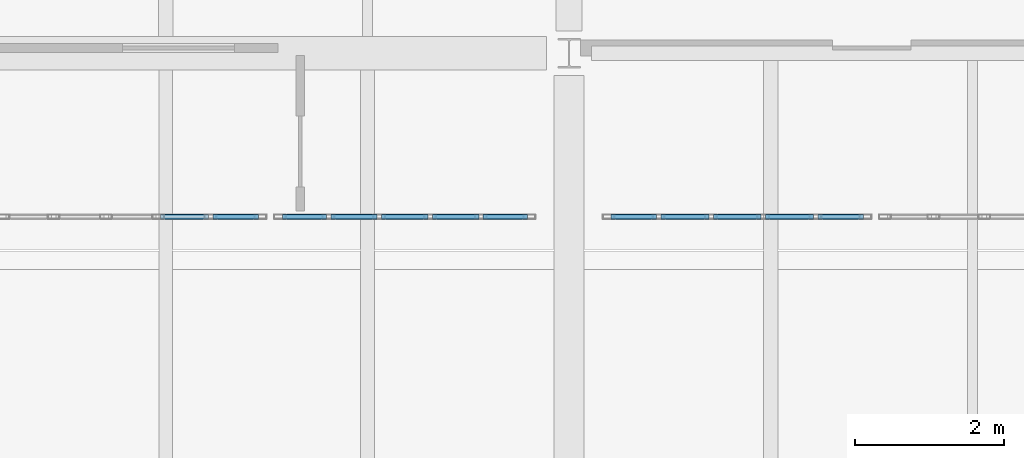
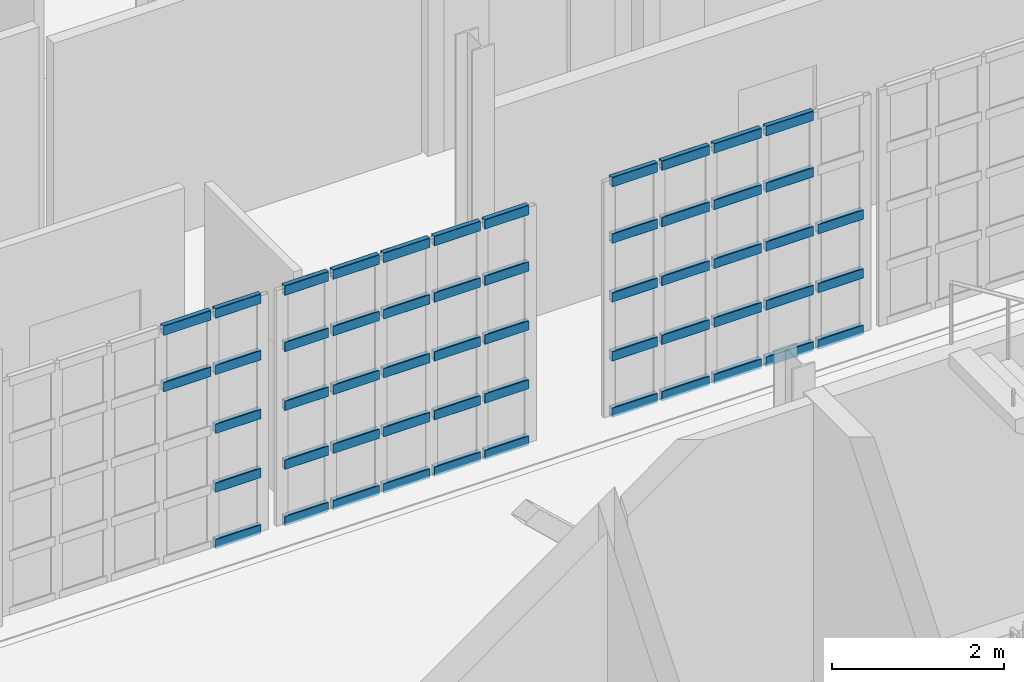
# One storey, part 12 of 25: 55 members, 3 elements without a shape of their own.
"""IFC4 building model written with IfcOpenShell, lengths in metres."""

from ifc_helpers import new_model, si_unit, direction, frame, origin, origin_2d, place, context, subcontext, project, spatial, hollow_rectangle, extrude, material, material_profile, profile_set, type_object, element, aggregate, save


model = new_model("IFC4")

# Units and contexts
model_context = context("Model", 3, precision=1e-05, world=origin(), true_north=direction((0.0, 1.0)))
body_context = subcontext(model_context, "Body", "Model", "MODEL_VIEW")
ifc_project = project(units=[si_unit("LENGTHUNIT", "METRE"), si_unit("AREAUNIT", "SQUARE_METRE"), si_unit("VOLUMEUNIT", "CUBIC_METRE"), si_unit("PLANEANGLEUNIT", "RADIAN"), si_unit("MASSUNIT", "GRAM", prefix="KILO")], contexts=[model_context])

# Site, building, storey
site_placement = place(None, origin())
site = spatial("IfcSite", under=ifc_project, at=site_placement, CompositionType="ELEMENT")
building_placement = place(site_placement, origin())
building = spatial("IfcBuilding", under=site, at=building_placement, Name="Kaelora Sail Theatre", CompositionType="ELEMENT")
storey_placement = place(building_placement, frame((0.0, 0.0, 19.199951171875)))
storey = spatial("IfcBuildingStorey", under=building, at=storey_placement, Name="L04", CompositionType="ELEMENT", Elevation=19.199951171875)

# Curtain wall, members
ifc_material_1 = material(Name="Anodised aluminium and solar-control low-E IGU", Category="aluminium")
curtain_wall_type = type_object("IfcCurtainWallType", Name="ARC-CW-CW-CLR", PredefinedType="NOTDEFINED", material=ifc_material_1)
curtain_wall_1_placement = place(storey_placement, origin())
curtain_wall_1 = element("IfcCurtainWall", 1, at=curtain_wall_1_placement, inside=storey, type_object=curtain_wall_type, Name="Glazed Foyer/Conservatory Curtain Wall NW2-S-L04-02", PredefinedType="NOTDEFINED")
ifc_material_2 = material(Name="Anodised aluminium 6063-T6", Category="aluminium")
ifc_material_profile = material_profile(ifc_material_2, hollow_rectangle(XDim=0.070068359375, YDim=0.139892578125, WallThickness=0.00390625, InnerFilletRadius=0.00390625, OuterFilletRadius=0.008056640625, at=origin_2d()), Name="ALU-TRAN 70x140x4")
ifc_profile_set = profile_set([ifc_material_profile], Name="Anodised aluminium 6063-T6")
member_type = type_object("IfcMemberType", Name="ARC-MEM-TR-140", PredefinedType="USERDEFINED", material=ifc_profile_set)
member_1_placement = place(storey_placement, frame((44.6298828125, 88.590087890625, 2.51025390625), z_axis=(1.0, 0.0, 0.0), x_axis=(0.0, 1.0, 0.0)))
member_1 = element("IfcMember", 2, at=member_1_placement, type_object=member_type, Name="CW-CLR transom 4.4", ObjectType="TRANSOM", PredefinedType="USERDEFINED", context=body_context, shape_type="SweptSolid", body=[
    extrude(hollow_rectangle(XDim=0.070068359375, YDim=0.139892578125, WallThickness=0.00390625, InnerFilletRadius=0.00390625, OuterFilletRadius=0.008056640625, at=origin_2d()), origin(), (0.0, 0.0, 1.0), 0.64013671875),
])
member_2_placement = place(storey_placement, frame((44.6298828125, 88.590087890625, 3.31201171875), z_axis=(1.0, 0.0, 0.0), x_axis=(0.0, 1.0, 0.0)))
member_2 = element("IfcMember", 3, at=member_2_placement, type_object=member_type, Name="CW-CLR transom 4.5", ObjectType="TRANSOM", PredefinedType="USERDEFINED", context=body_context, shape_type="SweptSolid", body=[
    extrude(hollow_rectangle(XDim=0.070068359375, YDim=0.139892578125, WallThickness=0.00390625, InnerFilletRadius=0.00390625, OuterFilletRadius=0.008056640625, at=origin_2d()), origin(), (0.0, 0.0, 1.0), 0.64013671875),
])
member_3_placement = place(storey_placement, frame((45.330078125, 88.590087890625, 0.03515625), z_axis=(1.0, 0.0, 0.0), x_axis=(0.0, 1.0, 0.0)))
member_3 = element("IfcMember", 4, at=member_3_placement, type_object=member_type, Name="CW-CLR transom 5.1", ObjectType="TRANSOM", PredefinedType="USERDEFINED", context=body_context, shape_type="SweptSolid", body=[
    extrude(hollow_rectangle(XDim=0.070068359375, YDim=0.139892578125, WallThickness=0.00390625, InnerFilletRadius=0.00390625, OuterFilletRadius=0.008056640625, at=origin_2d()), origin(), (0.0, 0.0, 1.0), 0.60986328125),
])
member_4_placement = place(storey_placement, frame((45.330078125, 88.590087890625, 0.836669921875), z_axis=(1.0, 0.0, 0.0), x_axis=(0.0, 1.0, 0.0)))
member_4 = element("IfcMember", 5, at=member_4_placement, type_object=member_type, Name="CW-CLR transom 5.2", ObjectType="TRANSOM", PredefinedType="USERDEFINED", context=body_context, shape_type="SweptSolid", body=[
    extrude(hollow_rectangle(XDim=0.070068359375, YDim=0.139892578125, WallThickness=0.00390625, InnerFilletRadius=0.00390625, OuterFilletRadius=0.008056640625, at=origin_2d()), origin(), (0.0, 0.0, 1.0), 0.60986328125),
])
member_5_placement = place(storey_placement, frame((45.330078125, 88.590087890625, 1.673583984375), z_axis=(1.0, 0.0, 0.0), x_axis=(0.0, 1.0, 0.0)))
member_5 = element("IfcMember", 6, at=member_5_placement, type_object=member_type, Name="CW-CLR transom 5.3", ObjectType="TRANSOM", PredefinedType="USERDEFINED", context=body_context, shape_type="SweptSolid", body=[
    extrude(hollow_rectangle(XDim=0.070068359375, YDim=0.139892578125, WallThickness=0.00390625, InnerFilletRadius=0.00390625, OuterFilletRadius=0.008056640625, at=origin_2d()), origin(), (0.0, 0.0, 1.0), 0.60986328125),
])
member_6_placement = place(storey_placement, frame((45.330078125, 88.590087890625, 2.51025390625), z_axis=(1.0, 0.0, 0.0), x_axis=(0.0, 1.0, 0.0)))
member_6 = element("IfcMember", 7, at=member_6_placement, type_object=member_type, Name="CW-CLR transom 5.4", ObjectType="TRANSOM", PredefinedType="USERDEFINED", context=body_context, shape_type="SweptSolid", body=[
    extrude(hollow_rectangle(XDim=0.070068359375, YDim=0.139892578125, WallThickness=0.00390625, InnerFilletRadius=0.00390625, OuterFilletRadius=0.008056640625, at=origin_2d()), origin(), (0.0, 0.0, 1.0), 0.60986328125),
])
member_7_placement = place(storey_placement, frame((45.330078125, 88.590087890625, 3.31201171875), z_axis=(1.0, 0.0, 0.0), x_axis=(0.0, 1.0, 0.0)))
member_7 = element("IfcMember", 8, at=member_7_placement, type_object=member_type, Name="CW-CLR transom 5.5", ObjectType="TRANSOM", PredefinedType="USERDEFINED", context=body_context, shape_type="SweptSolid", body=[
    extrude(hollow_rectangle(XDim=0.070068359375, YDim=0.139892578125, WallThickness=0.00390625, InnerFilletRadius=0.00390625, OuterFilletRadius=0.008056640625, at=origin_2d()), origin(), (0.0, 0.0, 1.0), 0.60986328125),
])
aggregate(curtain_wall_1, [member_1, member_2, member_3, member_4, member_5, member_6, member_7])

curtain_wall_2_placement = place(storey_placement, origin())
curtain_wall_2 = element("IfcCurtainWall", 9, at=curtain_wall_2_placement, inside=storey, type_object=curtain_wall_type, Name="Glazed Foyer/Conservatory Curtain Wall NW2-S-L04-03", PredefinedType="NOTDEFINED")
member_8_placement = place(storey_placement, frame((46.260009765625, 88.590087890625, 0.03515625), z_axis=(1.0, 0.0, 0.0), x_axis=(0.0, 1.0, 0.0)))
member_8 = element("IfcMember", 10, at=member_8_placement, type_object=member_type, Name="CW-CLR transom 1.1", ObjectType="TRANSOM", PredefinedType="USERDEFINED", context=body_context, shape_type="SweptSolid", body=[
    extrude(hollow_rectangle(XDim=0.070068359375, YDim=0.139892578125, WallThickness=0.00390625, InnerFilletRadius=0.00390625, OuterFilletRadius=0.008056640625, at=origin_2d()), origin(), (0.0, 0.0, 1.0), 0.590087890625),
])
member_9_placement = place(storey_placement, frame((46.260009765625, 88.590087890625, 0.836669921875), z_axis=(1.0, 0.0, 0.0), x_axis=(0.0, 1.0, 0.0)))
member_9 = element("IfcMember", 11, at=member_9_placement, type_object=member_type, Name="CW-CLR transom 1.2", ObjectType="TRANSOM", PredefinedType="USERDEFINED", context=body_context, shape_type="SweptSolid", body=[
    extrude(hollow_rectangle(XDim=0.070068359375, YDim=0.139892578125, WallThickness=0.00390625, InnerFilletRadius=0.00390625, OuterFilletRadius=0.008056640625, at=origin_2d()), origin(), (0.0, 0.0, 1.0), 0.590087890625),
])
member_10_placement = place(storey_placement, frame((46.260009765625, 88.590087890625, 1.673583984375), z_axis=(1.0, 0.0, 0.0), x_axis=(0.0, 1.0, 0.0)))
member_10 = element("IfcMember", 12, at=member_10_placement, type_object=member_type, Name="CW-CLR transom 1.3", ObjectType="TRANSOM", PredefinedType="USERDEFINED", context=body_context, shape_type="SweptSolid", body=[
    extrude(hollow_rectangle(XDim=0.070068359375, YDim=0.139892578125, WallThickness=0.00390625, InnerFilletRadius=0.00390625, OuterFilletRadius=0.008056640625, at=origin_2d()), origin(), (0.0, 0.0, 1.0), 0.590087890625),
])
member_11_placement = place(storey_placement, frame((46.260009765625, 88.590087890625, 2.51025390625), z_axis=(1.0, 0.0, 0.0), x_axis=(0.0, 1.0, 0.0)))
member_11 = element("IfcMember", 13, at=member_11_placement, type_object=member_type, Name="CW-CLR transom 1.4", ObjectType="TRANSOM", PredefinedType="USERDEFINED", context=body_context, shape_type="SweptSolid", body=[
    extrude(hollow_rectangle(XDim=0.070068359375, YDim=0.139892578125, WallThickness=0.00390625, InnerFilletRadius=0.00390625, OuterFilletRadius=0.008056640625, at=origin_2d()), origin(), (0.0, 0.0, 1.0), 0.590087890625),
])
member_12_placement = place(storey_placement, frame((46.260009765625, 88.590087890625, 3.31201171875), z_axis=(1.0, 0.0, 0.0), x_axis=(0.0, 1.0, 0.0)))
member_12 = element("IfcMember", 14, at=member_12_placement, type_object=member_type, Name="CW-CLR transom 1.5", ObjectType="TRANSOM", PredefinedType="USERDEFINED", context=body_context, shape_type="SweptSolid", body=[
    extrude(hollow_rectangle(XDim=0.070068359375, YDim=0.139892578125, WallThickness=0.00390625, InnerFilletRadius=0.00390625, OuterFilletRadius=0.008056640625, at=origin_2d()), origin(), (0.0, 0.0, 1.0), 0.590087890625),
])
member_13_placement = place(storey_placement, frame((46.909912109375, 88.590087890625, 0.03515625), z_axis=(1.0, 0.0, 0.0), x_axis=(0.0, 1.0, 0.0)))
member_13 = element("IfcMember", 15, at=member_13_placement, type_object=member_type, Name="CW-CLR transom 2.1", ObjectType="TRANSOM", PredefinedType="USERDEFINED", context=body_context, shape_type="SweptSolid", body=[
    extrude(hollow_rectangle(XDim=0.070068359375, YDim=0.139892578125, WallThickness=0.00390625, InnerFilletRadius=0.00390625, OuterFilletRadius=0.008056640625, at=origin_2d()), origin(), (0.0, 0.0, 1.0), 0.6201171875),
])
member_14_placement = place(storey_placement, frame((46.909912109375, 88.590087890625, 0.836669921875), z_axis=(1.0, 0.0, 0.0), x_axis=(0.0, 1.0, 0.0)))
member_14 = element("IfcMember", 16, at=member_14_placement, type_object=member_type, Name="CW-CLR transom 2.2", ObjectType="TRANSOM", PredefinedType="USERDEFINED", context=body_context, shape_type="SweptSolid", body=[
    extrude(hollow_rectangle(XDim=0.070068359375, YDim=0.139892578125, WallThickness=0.00390625, InnerFilletRadius=0.00390625, OuterFilletRadius=0.008056640625, at=origin_2d()), origin(), (0.0, 0.0, 1.0), 0.6201171875),
])
member_15_placement = place(storey_placement, frame((46.909912109375, 88.590087890625, 1.673583984375), z_axis=(1.0, 0.0, 0.0), x_axis=(0.0, 1.0, 0.0)))
member_15 = element("IfcMember", 17, at=member_15_placement, type_object=member_type, Name="CW-CLR transom 2.3", ObjectType="TRANSOM", PredefinedType="USERDEFINED", context=body_context, shape_type="SweptSolid", body=[
    extrude(hollow_rectangle(XDim=0.070068359375, YDim=0.139892578125, WallThickness=0.00390625, InnerFilletRadius=0.00390625, OuterFilletRadius=0.008056640625, at=origin_2d()), origin(), (0.0, 0.0, 1.0), 0.6201171875),
])
member_16_placement = place(storey_placement, frame((46.909912109375, 88.590087890625, 2.51025390625), z_axis=(1.0, 0.0, 0.0), x_axis=(0.0, 1.0, 0.0)))
member_16 = element("IfcMember", 18, at=member_16_placement, type_object=member_type, Name="CW-CLR transom 2.4", ObjectType="TRANSOM", PredefinedType="USERDEFINED", context=body_context, shape_type="SweptSolid", body=[
    extrude(hollow_rectangle(XDim=0.070068359375, YDim=0.139892578125, WallThickness=0.00390625, InnerFilletRadius=0.00390625, OuterFilletRadius=0.008056640625, at=origin_2d()), origin(), (0.0, 0.0, 1.0), 0.6201171875),
])
member_17_placement = place(storey_placement, frame((46.909912109375, 88.590087890625, 3.31201171875), z_axis=(1.0, 0.0, 0.0), x_axis=(0.0, 1.0, 0.0)))
member_17 = element("IfcMember", 19, at=member_17_placement, type_object=member_type, Name="CW-CLR transom 2.5", ObjectType="TRANSOM", PredefinedType="USERDEFINED", context=body_context, shape_type="SweptSolid", body=[
    extrude(hollow_rectangle(XDim=0.070068359375, YDim=0.139892578125, WallThickness=0.00390625, InnerFilletRadius=0.00390625, OuterFilletRadius=0.008056640625, at=origin_2d()), origin(), (0.0, 0.0, 1.0), 0.6201171875),
])
member_18_placement = place(storey_placement, frame((47.590087890625, 88.590087890625, 0.03515625), z_axis=(1.0, 0.0, 0.0), x_axis=(0.0, 1.0, 0.0)))
member_18 = element("IfcMember", 20, at=member_18_placement, type_object=member_type, Name="CW-CLR transom 3.1", ObjectType="TRANSOM", PredefinedType="USERDEFINED", context=body_context, shape_type="SweptSolid", body=[
    extrude(hollow_rectangle(XDim=0.070068359375, YDim=0.139892578125, WallThickness=0.00390625, InnerFilletRadius=0.00390625, OuterFilletRadius=0.008056640625, at=origin_2d()), origin(), (0.0, 0.0, 1.0), 0.619873046875),
])
member_19_placement = place(storey_placement, frame((47.590087890625, 88.590087890625, 0.836669921875), z_axis=(1.0, 0.0, 0.0), x_axis=(0.0, 1.0, 0.0)))
member_19 = element("IfcMember", 21, at=member_19_placement, type_object=member_type, Name="CW-CLR transom 3.2", ObjectType="TRANSOM", PredefinedType="USERDEFINED", context=body_context, shape_type="SweptSolid", body=[
    extrude(hollow_rectangle(XDim=0.070068359375, YDim=0.139892578125, WallThickness=0.00390625, InnerFilletRadius=0.00390625, OuterFilletRadius=0.008056640625, at=origin_2d()), origin(), (0.0, 0.0, 1.0), 0.619873046875),
])
member_20_placement = place(storey_placement, frame((47.590087890625, 88.590087890625, 1.673583984375), z_axis=(1.0, 0.0, 0.0), x_axis=(0.0, 1.0, 0.0)))
member_20 = element("IfcMember", 22, at=member_20_placement, type_object=member_type, Name="CW-CLR transom 3.3", ObjectType="TRANSOM", PredefinedType="USERDEFINED", context=body_context, shape_type="SweptSolid", body=[
    extrude(hollow_rectangle(XDim=0.070068359375, YDim=0.139892578125, WallThickness=0.00390625, InnerFilletRadius=0.00390625, OuterFilletRadius=0.008056640625, at=origin_2d()), origin(), (0.0, 0.0, 1.0), 0.619873046875),
])
member_21_placement = place(storey_placement, frame((47.590087890625, 88.590087890625, 2.51025390625), z_axis=(1.0, 0.0, 0.0), x_axis=(0.0, 1.0, 0.0)))
member_21 = element("IfcMember", 23, at=member_21_placement, type_object=member_type, Name="CW-CLR transom 3.4", ObjectType="TRANSOM", PredefinedType="USERDEFINED", context=body_context, shape_type="SweptSolid", body=[
    extrude(hollow_rectangle(XDim=0.070068359375, YDim=0.139892578125, WallThickness=0.00390625, InnerFilletRadius=0.00390625, OuterFilletRadius=0.008056640625, at=origin_2d()), origin(), (0.0, 0.0, 1.0), 0.619873046875),
])
member_22_placement = place(storey_placement, frame((47.590087890625, 88.590087890625, 3.31201171875), z_axis=(1.0, 0.0, 0.0), x_axis=(0.0, 1.0, 0.0)))
member_22 = element("IfcMember", 24, at=member_22_placement, type_object=member_type, Name="CW-CLR transom 3.5", ObjectType="TRANSOM", PredefinedType="USERDEFINED", context=body_context, shape_type="SweptSolid", body=[
    extrude(hollow_rectangle(XDim=0.070068359375, YDim=0.139892578125, WallThickness=0.00390625, InnerFilletRadius=0.00390625, OuterFilletRadius=0.008056640625, at=origin_2d()), origin(), (0.0, 0.0, 1.0), 0.619873046875),
])
member_23_placement = place(storey_placement, frame((48.27001953125, 88.590087890625, 0.03515625), z_axis=(1.0, 0.0, 0.0), x_axis=(0.0, 1.0, 0.0)))
member_23 = element("IfcMember", 25, at=member_23_placement, type_object=member_type, Name="CW-CLR transom 4.1", ObjectType="TRANSOM", PredefinedType="USERDEFINED", context=body_context, shape_type="SweptSolid", body=[
    extrude(hollow_rectangle(XDim=0.070068359375, YDim=0.139892578125, WallThickness=0.00390625, InnerFilletRadius=0.00390625, OuterFilletRadius=0.008056640625, at=origin_2d()), origin(), (0.0, 0.0, 1.0), 0.619873046875),
])
member_24_placement = place(storey_placement, frame((48.27001953125, 88.590087890625, 0.836669921875), z_axis=(1.0, 0.0, 0.0), x_axis=(0.0, 1.0, 0.0)))
member_24 = element("IfcMember", 26, at=member_24_placement, type_object=member_type, Name="CW-CLR transom 4.2", ObjectType="TRANSOM", PredefinedType="USERDEFINED", context=body_context, shape_type="SweptSolid", body=[
    extrude(hollow_rectangle(XDim=0.070068359375, YDim=0.139892578125, WallThickness=0.00390625, InnerFilletRadius=0.00390625, OuterFilletRadius=0.008056640625, at=origin_2d()), origin(), (0.0, 0.0, 1.0), 0.619873046875),
])
member_25_placement = place(storey_placement, frame((48.27001953125, 88.590087890625, 1.673583984375), z_axis=(1.0, 0.0, 0.0), x_axis=(0.0, 1.0, 0.0)))
member_25 = element("IfcMember", 27, at=member_25_placement, type_object=member_type, Name="CW-CLR transom 4.3", ObjectType="TRANSOM", PredefinedType="USERDEFINED", context=body_context, shape_type="SweptSolid", body=[
    extrude(hollow_rectangle(XDim=0.070068359375, YDim=0.139892578125, WallThickness=0.00390625, InnerFilletRadius=0.00390625, OuterFilletRadius=0.008056640625, at=origin_2d()), origin(), (0.0, 0.0, 1.0), 0.619873046875),
])
member_26_placement = place(storey_placement, frame((48.27001953125, 88.590087890625, 2.51025390625), z_axis=(1.0, 0.0, 0.0), x_axis=(0.0, 1.0, 0.0)))
member_26 = element("IfcMember", 28, at=member_26_placement, type_object=member_type, Name="CW-CLR transom 4.4", ObjectType="TRANSOM", PredefinedType="USERDEFINED", context=body_context, shape_type="SweptSolid", body=[
    extrude(hollow_rectangle(XDim=0.070068359375, YDim=0.139892578125, WallThickness=0.00390625, InnerFilletRadius=0.00390625, OuterFilletRadius=0.008056640625, at=origin_2d()), origin(), (0.0, 0.0, 1.0), 0.619873046875),
])
member_27_placement = place(storey_placement, frame((48.27001953125, 88.590087890625, 3.31201171875), z_axis=(1.0, 0.0, 0.0), x_axis=(0.0, 1.0, 0.0)))
member_27 = element("IfcMember", 29, at=member_27_placement, type_object=member_type, Name="CW-CLR transom 4.5", ObjectType="TRANSOM", PredefinedType="USERDEFINED", context=body_context, shape_type="SweptSolid", body=[
    extrude(hollow_rectangle(XDim=0.070068359375, YDim=0.139892578125, WallThickness=0.00390625, InnerFilletRadius=0.00390625, OuterFilletRadius=0.008056640625, at=origin_2d()), origin(), (0.0, 0.0, 1.0), 0.619873046875),
])
member_28_placement = place(storey_placement, frame((48.949951171875, 88.590087890625, 0.03515625), z_axis=(1.0, 0.0, 0.0), x_axis=(0.0, 1.0, 0.0)))
member_28 = element("IfcMember", 30, at=member_28_placement, type_object=member_type, Name="CW-CLR transom 5.1", ObjectType="TRANSOM", PredefinedType="USERDEFINED", context=body_context, shape_type="SweptSolid", body=[
    extrude(hollow_rectangle(XDim=0.070068359375, YDim=0.139892578125, WallThickness=0.00390625, InnerFilletRadius=0.00390625, OuterFilletRadius=0.008056640625, at=origin_2d()), origin(), (0.0, 0.0, 1.0), 0.590087890625),
])
member_29_placement = place(storey_placement, frame((48.949951171875, 88.590087890625, 0.836669921875), z_axis=(1.0, 0.0, 0.0), x_axis=(0.0, 1.0, 0.0)))
member_29 = element("IfcMember", 31, at=member_29_placement, type_object=member_type, Name="CW-CLR transom 5.2", ObjectType="TRANSOM", PredefinedType="USERDEFINED", context=body_context, shape_type="SweptSolid", body=[
    extrude(hollow_rectangle(XDim=0.070068359375, YDim=0.139892578125, WallThickness=0.00390625, InnerFilletRadius=0.00390625, OuterFilletRadius=0.008056640625, at=origin_2d()), origin(), (0.0, 0.0, 1.0), 0.590087890625),
])
member_30_placement = place(storey_placement, frame((48.949951171875, 88.590087890625, 1.673583984375), z_axis=(1.0, 0.0, 0.0), x_axis=(0.0, 1.0, 0.0)))
member_30 = element("IfcMember", 32, at=member_30_placement, type_object=member_type, Name="CW-CLR transom 5.3", ObjectType="TRANSOM", PredefinedType="USERDEFINED", context=body_context, shape_type="SweptSolid", body=[
    extrude(hollow_rectangle(XDim=0.070068359375, YDim=0.139892578125, WallThickness=0.00390625, InnerFilletRadius=0.00390625, OuterFilletRadius=0.008056640625, at=origin_2d()), origin(), (0.0, 0.0, 1.0), 0.590087890625),
])
member_31_placement = place(storey_placement, frame((48.949951171875, 88.590087890625, 2.51025390625), z_axis=(1.0, 0.0, 0.0), x_axis=(0.0, 1.0, 0.0)))
member_31 = element("IfcMember", 33, at=member_31_placement, type_object=member_type, Name="CW-CLR transom 5.4", ObjectType="TRANSOM", PredefinedType="USERDEFINED", context=body_context, shape_type="SweptSolid", body=[
    extrude(hollow_rectangle(XDim=0.070068359375, YDim=0.139892578125, WallThickness=0.00390625, InnerFilletRadius=0.00390625, OuterFilletRadius=0.008056640625, at=origin_2d()), origin(), (0.0, 0.0, 1.0), 0.590087890625),
])
member_32_placement = place(storey_placement, frame((48.949951171875, 88.590087890625, 3.31201171875), z_axis=(1.0, 0.0, 0.0), x_axis=(0.0, 1.0, 0.0)))
member_32 = element("IfcMember", 34, at=member_32_placement, type_object=member_type, Name="CW-CLR transom 5.5", ObjectType="TRANSOM", PredefinedType="USERDEFINED", context=body_context, shape_type="SweptSolid", body=[
    extrude(hollow_rectangle(XDim=0.070068359375, YDim=0.139892578125, WallThickness=0.00390625, InnerFilletRadius=0.00390625, OuterFilletRadius=0.008056640625, at=origin_2d()), origin(), (0.0, 0.0, 1.0), 0.590087890625),
])
aggregate(curtain_wall_2, [member_8, member_9, member_10, member_11, member_12, member_13, member_14, member_15, member_16, member_17, member_18, member_19, member_20, member_21, member_22, member_23, member_24, member_25, member_26, member_27, member_28, member_29, member_30, member_31, member_32])

curtain_wall_3_placement = place(storey_placement, origin())
curtain_wall_3 = element("IfcCurtainWall", 35, at=curtain_wall_3_placement, inside=storey, type_object=curtain_wall_type, Name="Glazed Foyer/Conservatory Curtain Wall NW2-S-L04-04", PredefinedType="NOTDEFINED")
member_33_placement = place(storey_placement, frame((50.659912109375, 88.590087890625, 0.03515625), z_axis=(1.0, 0.0, 0.0), x_axis=(0.0, 1.0, 0.0)))
member_33 = element("IfcMember", 36, at=member_33_placement, type_object=member_type, Name="CW-CLR transom 1.1", ObjectType="TRANSOM", PredefinedType="USERDEFINED", context=body_context, shape_type="SweptSolid", body=[
    extrude(hollow_rectangle(XDim=0.070068359375, YDim=0.139892578125, WallThickness=0.00390625, InnerFilletRadius=0.00390625, OuterFilletRadius=0.008056640625, at=origin_2d()), origin(), (0.0, 0.0, 1.0), 0.610107421875),
])
member_34_placement = place(storey_placement, frame((50.659912109375, 88.590087890625, 0.836669921875), z_axis=(1.0, 0.0, 0.0), x_axis=(0.0, 1.0, 0.0)))
member_34 = element("IfcMember", 37, at=member_34_placement, type_object=member_type, Name="CW-CLR transom 1.2", ObjectType="TRANSOM", PredefinedType="USERDEFINED", context=body_context, shape_type="SweptSolid", body=[
    extrude(hollow_rectangle(XDim=0.070068359375, YDim=0.139892578125, WallThickness=0.00390625, InnerFilletRadius=0.00390625, OuterFilletRadius=0.008056640625, at=origin_2d()), origin(), (0.0, 0.0, 1.0), 0.610107421875),
])
member_35_placement = place(storey_placement, frame((50.659912109375, 88.590087890625, 1.673583984375), z_axis=(1.0, 0.0, 0.0), x_axis=(0.0, 1.0, 0.0)))
member_35 = element("IfcMember", 38, at=member_35_placement, type_object=member_type, Name="CW-CLR transom 1.3", ObjectType="TRANSOM", PredefinedType="USERDEFINED", context=body_context, shape_type="SweptSolid", body=[
    extrude(hollow_rectangle(XDim=0.070068359375, YDim=0.139892578125, WallThickness=0.00390625, InnerFilletRadius=0.00390625, OuterFilletRadius=0.008056640625, at=origin_2d()), origin(), (0.0, 0.0, 1.0), 0.610107421875),
])
member_36_placement = place(storey_placement, frame((50.659912109375, 88.590087890625, 2.51025390625), z_axis=(1.0, 0.0, 0.0), x_axis=(0.0, 1.0, 0.0)))
member_36 = element("IfcMember", 39, at=member_36_placement, type_object=member_type, Name="CW-CLR transom 1.4", ObjectType="TRANSOM", PredefinedType="USERDEFINED", context=body_context, shape_type="SweptSolid", body=[
    extrude(hollow_rectangle(XDim=0.070068359375, YDim=0.139892578125, WallThickness=0.00390625, InnerFilletRadius=0.00390625, OuterFilletRadius=0.008056640625, at=origin_2d()), origin(), (0.0, 0.0, 1.0), 0.610107421875),
])
member_37_placement = place(storey_placement, frame((50.659912109375, 88.590087890625, 3.31201171875), z_axis=(1.0, 0.0, 0.0), x_axis=(0.0, 1.0, 0.0)))
member_37 = element("IfcMember", 40, at=member_37_placement, type_object=member_type, Name="CW-CLR transom 1.5", ObjectType="TRANSOM", PredefinedType="USERDEFINED", context=body_context, shape_type="SweptSolid", body=[
    extrude(hollow_rectangle(XDim=0.070068359375, YDim=0.139892578125, WallThickness=0.00390625, InnerFilletRadius=0.00390625, OuterFilletRadius=0.008056640625, at=origin_2d()), origin(), (0.0, 0.0, 1.0), 0.610107421875),
])
member_38_placement = place(storey_placement, frame((51.330078125, 88.590087890625, 0.03515625), z_axis=(1.0, 0.0, 0.0), x_axis=(0.0, 1.0, 0.0)))
member_38 = element("IfcMember", 41, at=member_38_placement, type_object=member_type, Name="CW-CLR transom 2.1", ObjectType="TRANSOM", PredefinedType="USERDEFINED", context=body_context, shape_type="SweptSolid", body=[
    extrude(hollow_rectangle(XDim=0.070068359375, YDim=0.139892578125, WallThickness=0.00390625, InnerFilletRadius=0.00390625, OuterFilletRadius=0.008056640625, at=origin_2d()), origin(), (0.0, 0.0, 1.0), 0.639892578125),
])
member_39_placement = place(storey_placement, frame((51.330078125, 88.590087890625, 0.836669921875), z_axis=(1.0, 0.0, 0.0), x_axis=(0.0, 1.0, 0.0)))
member_39 = element("IfcMember", 42, at=member_39_placement, type_object=member_type, Name="CW-CLR transom 2.2", ObjectType="TRANSOM", PredefinedType="USERDEFINED", context=body_context, shape_type="SweptSolid", body=[
    extrude(hollow_rectangle(XDim=0.070068359375, YDim=0.139892578125, WallThickness=0.00390625, InnerFilletRadius=0.00390625, OuterFilletRadius=0.008056640625, at=origin_2d()), origin(), (0.0, 0.0, 1.0), 0.639892578125),
])
member_40_placement = place(storey_placement, frame((51.330078125, 88.590087890625, 1.673583984375), z_axis=(1.0, 0.0, 0.0), x_axis=(0.0, 1.0, 0.0)))
member_40 = element("IfcMember", 43, at=member_40_placement, type_object=member_type, Name="CW-CLR transom 2.3", ObjectType="TRANSOM", PredefinedType="USERDEFINED", context=body_context, shape_type="SweptSolid", body=[
    extrude(hollow_rectangle(XDim=0.070068359375, YDim=0.139892578125, WallThickness=0.00390625, InnerFilletRadius=0.00390625, OuterFilletRadius=0.008056640625, at=origin_2d()), origin(), (0.0, 0.0, 1.0), 0.639892578125),
])
member_41_placement = place(storey_placement, frame((51.330078125, 88.590087890625, 2.51025390625), z_axis=(1.0, 0.0, 0.0), x_axis=(0.0, 1.0, 0.0)))
member_41 = element("IfcMember", 44, at=member_41_placement, type_object=member_type, Name="CW-CLR transom 2.4", ObjectType="TRANSOM", PredefinedType="USERDEFINED", context=body_context, shape_type="SweptSolid", body=[
    extrude(hollow_rectangle(XDim=0.070068359375, YDim=0.139892578125, WallThickness=0.00390625, InnerFilletRadius=0.00390625, OuterFilletRadius=0.008056640625, at=origin_2d()), origin(), (0.0, 0.0, 1.0), 0.639892578125),
])
member_42_placement = place(storey_placement, frame((51.330078125, 88.590087890625, 3.31201171875), z_axis=(1.0, 0.0, 0.0), x_axis=(0.0, 1.0, 0.0)))
member_42 = element("IfcMember", 45, at=member_42_placement, type_object=member_type, Name="CW-CLR transom 2.5", ObjectType="TRANSOM", PredefinedType="USERDEFINED", context=body_context, shape_type="SweptSolid", body=[
    extrude(hollow_rectangle(XDim=0.070068359375, YDim=0.139892578125, WallThickness=0.00390625, InnerFilletRadius=0.00390625, OuterFilletRadius=0.008056640625, at=origin_2d()), origin(), (0.0, 0.0, 1.0), 0.639892578125),
])
member_43_placement = place(storey_placement, frame((52.030029296875, 88.590087890625, 0.03515625), z_axis=(1.0, 0.0, 0.0), x_axis=(0.0, 1.0, 0.0)))
member_43 = element("IfcMember", 46, at=member_43_placement, type_object=member_type, Name="CW-CLR transom 3.1", ObjectType="TRANSOM", PredefinedType="USERDEFINED", context=body_context, shape_type="SweptSolid", body=[
    extrude(hollow_rectangle(XDim=0.070068359375, YDim=0.139892578125, WallThickness=0.00390625, InnerFilletRadius=0.00390625, OuterFilletRadius=0.008056640625, at=origin_2d()), origin(), (0.0, 0.0, 1.0), 0.639892578125),
])
member_44_placement = place(storey_placement, frame((52.030029296875, 88.590087890625, 0.836669921875), z_axis=(1.0, 0.0, 0.0), x_axis=(0.0, 1.0, 0.0)))
member_44 = element("IfcMember", 47, at=member_44_placement, type_object=member_type, Name="CW-CLR transom 3.2", ObjectType="TRANSOM", PredefinedType="USERDEFINED", context=body_context, shape_type="SweptSolid", body=[
    extrude(hollow_rectangle(XDim=0.070068359375, YDim=0.139892578125, WallThickness=0.00390625, InnerFilletRadius=0.00390625, OuterFilletRadius=0.008056640625, at=origin_2d()), origin(), (0.0, 0.0, 1.0), 0.639892578125),
])
member_45_placement = place(storey_placement, frame((52.030029296875, 88.590087890625, 1.673583984375), z_axis=(1.0, 0.0, 0.0), x_axis=(0.0, 1.0, 0.0)))
member_45 = element("IfcMember", 48, at=member_45_placement, type_object=member_type, Name="CW-CLR transom 3.3", ObjectType="TRANSOM", PredefinedType="USERDEFINED", context=body_context, shape_type="SweptSolid", body=[
    extrude(hollow_rectangle(XDim=0.070068359375, YDim=0.139892578125, WallThickness=0.00390625, InnerFilletRadius=0.00390625, OuterFilletRadius=0.008056640625, at=origin_2d()), origin(), (0.0, 0.0, 1.0), 0.639892578125),
])
member_46_placement = place(storey_placement, frame((52.030029296875, 88.590087890625, 2.51025390625), z_axis=(1.0, 0.0, 0.0), x_axis=(0.0, 1.0, 0.0)))
member_46 = element("IfcMember", 49, at=member_46_placement, type_object=member_type, Name="CW-CLR transom 3.4", ObjectType="TRANSOM", PredefinedType="USERDEFINED", context=body_context, shape_type="SweptSolid", body=[
    extrude(hollow_rectangle(XDim=0.070068359375, YDim=0.139892578125, WallThickness=0.00390625, InnerFilletRadius=0.00390625, OuterFilletRadius=0.008056640625, at=origin_2d()), origin(), (0.0, 0.0, 1.0), 0.639892578125),
])
member_47_placement = place(storey_placement, frame((52.030029296875, 88.590087890625, 3.31201171875), z_axis=(1.0, 0.0, 0.0), x_axis=(0.0, 1.0, 0.0)))
member_47 = element("IfcMember", 50, at=member_47_placement, type_object=member_type, Name="CW-CLR transom 3.5", ObjectType="TRANSOM", PredefinedType="USERDEFINED", context=body_context, shape_type="SweptSolid", body=[
    extrude(hollow_rectangle(XDim=0.070068359375, YDim=0.139892578125, WallThickness=0.00390625, InnerFilletRadius=0.00390625, OuterFilletRadius=0.008056640625, at=origin_2d()), origin(), (0.0, 0.0, 1.0), 0.639892578125),
])
member_48_placement = place(storey_placement, frame((52.72998046875, 88.590087890625, 0.03515625), z_axis=(1.0, 0.0, 0.0), x_axis=(0.0, 1.0, 0.0)))
member_48 = element("IfcMember", 51, at=member_48_placement, type_object=member_type, Name="CW-CLR transom 4.1", ObjectType="TRANSOM", PredefinedType="USERDEFINED", context=body_context, shape_type="SweptSolid", body=[
    extrude(hollow_rectangle(XDim=0.070068359375, YDim=0.139892578125, WallThickness=0.00390625, InnerFilletRadius=0.00390625, OuterFilletRadius=0.008056640625, at=origin_2d()), origin(), (0.0, 0.0, 1.0), 0.64013671875),
])
member_49_placement = place(storey_placement, frame((52.72998046875, 88.590087890625, 0.836669921875), z_axis=(1.0, 0.0, 0.0), x_axis=(0.0, 1.0, 0.0)))
member_49 = element("IfcMember", 52, at=member_49_placement, type_object=member_type, Name="CW-CLR transom 4.2", ObjectType="TRANSOM", PredefinedType="USERDEFINED", context=body_context, shape_type="SweptSolid", body=[
    extrude(hollow_rectangle(XDim=0.070068359375, YDim=0.139892578125, WallThickness=0.00390625, InnerFilletRadius=0.00390625, OuterFilletRadius=0.008056640625, at=origin_2d()), origin(), (0.0, 0.0, 1.0), 0.64013671875),
])
member_50_placement = place(storey_placement, frame((52.72998046875, 88.590087890625, 1.673583984375), z_axis=(1.0, 0.0, 0.0), x_axis=(0.0, 1.0, 0.0)))
member_50 = element("IfcMember", 53, at=member_50_placement, type_object=member_type, Name="CW-CLR transom 4.3", ObjectType="TRANSOM", PredefinedType="USERDEFINED", context=body_context, shape_type="SweptSolid", body=[
    extrude(hollow_rectangle(XDim=0.070068359375, YDim=0.139892578125, WallThickness=0.00390625, InnerFilletRadius=0.00390625, OuterFilletRadius=0.008056640625, at=origin_2d()), origin(), (0.0, 0.0, 1.0), 0.64013671875),
])
member_51_placement = place(storey_placement, frame((52.72998046875, 88.590087890625, 2.51025390625), z_axis=(1.0, 0.0, 0.0), x_axis=(0.0, 1.0, 0.0)))
member_51 = element("IfcMember", 54, at=member_51_placement, type_object=member_type, Name="CW-CLR transom 4.4", ObjectType="TRANSOM", PredefinedType="USERDEFINED", context=body_context, shape_type="SweptSolid", body=[
    extrude(hollow_rectangle(XDim=0.070068359375, YDim=0.139892578125, WallThickness=0.00390625, InnerFilletRadius=0.00390625, OuterFilletRadius=0.008056640625, at=origin_2d()), origin(), (0.0, 0.0, 1.0), 0.64013671875),
])
member_52_placement = place(storey_placement, frame((52.72998046875, 88.590087890625, 3.31201171875), z_axis=(1.0, 0.0, 0.0), x_axis=(0.0, 1.0, 0.0)))
member_52 = element("IfcMember", 55, at=member_52_placement, type_object=member_type, Name="CW-CLR transom 4.5", ObjectType="TRANSOM", PredefinedType="USERDEFINED", context=body_context, shape_type="SweptSolid", body=[
    extrude(hollow_rectangle(XDim=0.070068359375, YDim=0.139892578125, WallThickness=0.00390625, InnerFilletRadius=0.00390625, OuterFilletRadius=0.008056640625, at=origin_2d()), origin(), (0.0, 0.0, 1.0), 0.64013671875),
])
member_53_placement = place(storey_placement, frame((53.429931640625, 88.590087890625, 0.03515625), z_axis=(1.0, 0.0, 0.0), x_axis=(0.0, 1.0, 0.0)))
member_53 = element("IfcMember", 56, at=member_53_placement, type_object=member_type, Name="CW-CLR transom 5.1", ObjectType="TRANSOM", PredefinedType="USERDEFINED", context=body_context, shape_type="SweptSolid", body=[
    extrude(hollow_rectangle(XDim=0.070068359375, YDim=0.139892578125, WallThickness=0.00390625, InnerFilletRadius=0.00390625, OuterFilletRadius=0.008056640625, at=origin_2d()), origin(), (0.0, 0.0, 1.0), 0.610107421875),
])
member_54_placement = place(storey_placement, frame((53.429931640625, 88.590087890625, 0.836669921875), z_axis=(1.0, 0.0, 0.0), x_axis=(0.0, 1.0, 0.0)))
member_54 = element("IfcMember", 57, at=member_54_placement, type_object=member_type, Name="CW-CLR transom 5.2", ObjectType="TRANSOM", PredefinedType="USERDEFINED", context=body_context, shape_type="SweptSolid", body=[
    extrude(hollow_rectangle(XDim=0.070068359375, YDim=0.139892578125, WallThickness=0.00390625, InnerFilletRadius=0.00390625, OuterFilletRadius=0.008056640625, at=origin_2d()), origin(), (0.0, 0.0, 1.0), 0.610107421875),
])
member_55_placement = place(storey_placement, frame((53.429931640625, 88.590087890625, 1.673583984375), z_axis=(1.0, 0.0, 0.0), x_axis=(0.0, 1.0, 0.0)))
member_55 = element("IfcMember", 58, at=member_55_placement, type_object=member_type, Name="CW-CLR transom 5.3", ObjectType="TRANSOM", PredefinedType="USERDEFINED", context=body_context, shape_type="SweptSolid", body=[
    extrude(hollow_rectangle(XDim=0.070068359375, YDim=0.139892578125, WallThickness=0.00390625, InnerFilletRadius=0.00390625, OuterFilletRadius=0.008056640625, at=origin_2d()), origin(), (0.0, 0.0, 1.0), 0.610107421875),
])
aggregate(curtain_wall_3, [member_33, member_34, member_35, member_36, member_37, member_38, member_39, member_40, member_41, member_42, member_43, member_44, member_45, member_46, member_47, member_48, member_49, member_50, member_51, member_52, member_53, member_54, member_55])

save(model, "model.ifc")
